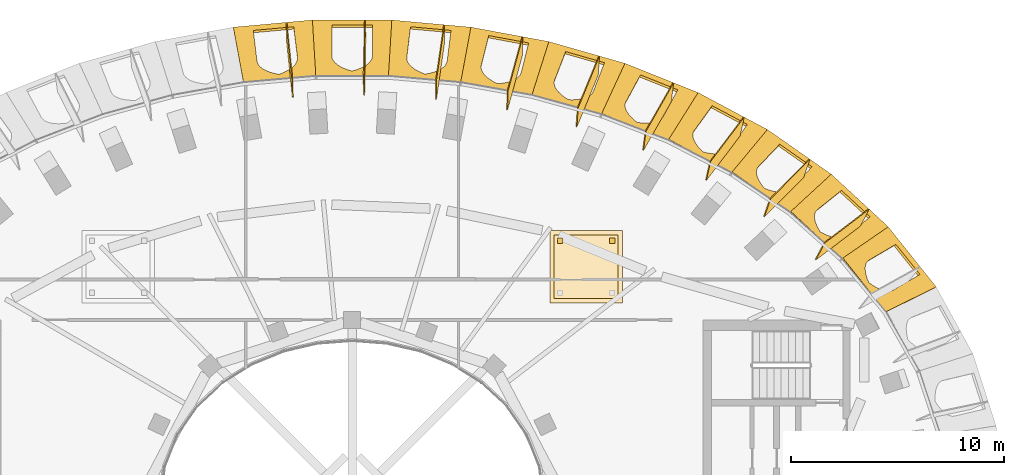
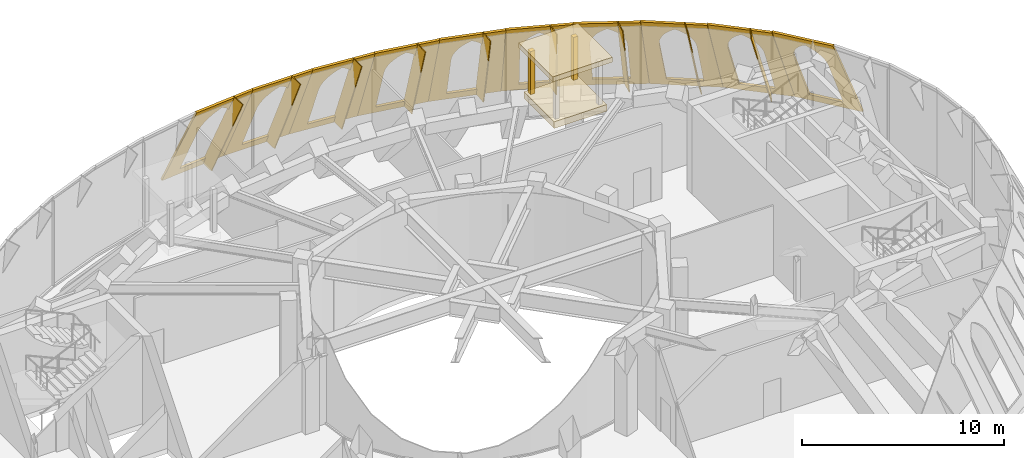
# One storey, part 13 of 13: 23 coverings.
"""IFC4 building model written with IfcOpenShell, lengths in metres."""

from ifc_helpers import new_model, si_unit, direction, frame, origin, origin_2d, place, context, subcontext, project, spatial, polyline, rectangle, outline, extrude, material, layer, layer_set, type_object, element, save


model = new_model("IFC4")

# Units and contexts
model_context = context("Model", 3, precision=1e-05, world=origin(), true_north=direction((0.0, 1.0)))
body_context = subcontext(model_context, "Body", "Model", "MODEL_VIEW")
ifc_project = project(units=[si_unit("LENGTHUNIT", "METRE"), si_unit("AREAUNIT", "SQUARE_METRE"), si_unit("VOLUMEUNIT", "CUBIC_METRE"), si_unit("PLANEANGLEUNIT", "RADIAN"), si_unit("MASSUNIT", "GRAM", prefix="KILO")], contexts=[model_context])

# Site, building, storey
site_placement = place(None, origin())
site = spatial("IfcSite", under=ifc_project, at=site_placement, CompositionType="ELEMENT")
building_placement = place(site_placement, origin())
building = spatial("IfcBuilding", under=site, at=building_placement, Name="Noorbagh Ring Tower", CompositionType="ELEMENT")
storey_placement = place(building_placement, frame((0.0, 0.0, 351.0)))
storey = spatial("IfcBuildingStorey", under=building, at=storey_placement, Name="L77", CompositionType="ELEMENT", Elevation=351.0)

# Coverings
ifc_material_1 = material(Name="Aluminium 6063-T6 black anodised", Category="aluminium")
ifc_layer_1 = layer(ifc_material_1, 0.050048828125)
ifc_layer_set_1 = layer_set([ifc_layer_1], Name="Aluminium 6063-T6 black anodised")
covering_type_1 = type_object("IfcCoveringType", Name="STYLE-HEAD-FIN", PredefinedType="CLADDING", material=ifc_layer_set_1)
covering_1_placement = place(storey_placement, frame((24.30810546875, 13.703125, 0.0), z_axis=(0.867003544352, -0.458039608337, 0.196225817048), x_axis=(-0.341874475146, -0.260278722895, 0.902982186785)))
element("IfcCovering", 1, at=covering_1_placement, inside=storey, type_object=covering_type_1, Name="Fin rib F05 L77", ObjectType="FIN", PredefinedType="CLADDING", context=body_context, shape_type="SweptSolid", body=[
    extrude(outline(polyline([(0.0, 0.0), (6.098757192707287, 4.440892098500626e-16), (6.44957657847794, 0.8286954899449102), (0.3508829303807348, 0.8289030029709457), (0.0, 0.0)])), origin(), (0.0, 0.0, -1.0), 0.050048828125),
])
covering_2_placement = place(storey_placement, frame((21.522216796875, 16.051025390625, 0.0), z_axis=(0.925120102646, -0.321746250518, 0.201574169866), x_axis=(-0.302833419231, -0.30507514712, 0.902895937972)))
element("IfcCovering", 2, at=covering_2_placement, inside=storey, type_object=covering_type_1, Name="Fin rib F06 L77", ObjectType="FIN", PredefinedType="CLADDING", context=body_context, shape_type="SweptSolid", body=[
    extrude(outline(polyline([(0.0, 0.0), (6.098811131261089, 0.0), (6.447688800440754, 0.8296757561663219), (0.3488776691796649, 0.8296757561663219), (0.0, 0.0)])), origin(), (0.0, 0.0, -1.0), 0.050048828125),
])
covering_3_placement = place(storey_placement, frame((18.433837890625, 18.031494140625, 0.0), z_axis=(0.957713833763, -0.211657550982, 0.194898162465), x_axis=(-0.259527449976, -0.343043382291, 0.902755083384)))
element("IfcCovering", 3, at=covering_3_placement, inside=storey, type_object=covering_type_1, Name="Fin rib F07 L77", ObjectType="FIN", PredefinedType="CLADDING", context=body_context, shape_type="SweptSolid", body=[
    extrude(outline(polyline([(0.0, 0.0), (6.099241495955389, 0.0), (6.451032866950743, 0.8282279583935295), (0.35193848301495056, 0.8284817129980697), (0.0, 0.0)])), origin(), (0.0, 0.0, -1.0), 0.050048828125),
])
covering_4_placement = place(storey_placement, frame((15.11669921875, 19.646728515625, 0.0), z_axis=(0.975790284167, -0.128414535344, 0.177039623922), x_axis=(-0.212994817618, -0.374151956452, 0.902576047295)))
element("IfcCovering", 4, at=covering_4_placement, inside=storey, type_object=covering_type_1, Name="Fin rib F08 L77", ObjectType="FIN", PredefinedType="CLADDING", context=body_context, shape_type="SweptSolid", body=[
    extrude(outline(polyline([(0.0, 0.0), (6.099079217752502, 4.440892098500626e-16), (6.457960054692147, 0.8253815328488652), (0.35888083693964457, 0.8253815328488651), (0.0, 0.0)])), origin(), (0.0, 0.0, -1.0), 0.050048828125),
])
covering_5_placement = place(storey_placement, frame((11.631103515625, 20.90380859375, 0.0), z_axis=(0.986451429032, -0.069608197372, 0.148553953226), x_axis=(-0.164013677477, -0.398479553068, 0.902393239884)))
element("IfcCovering", 5, at=covering_5_placement, inside=storey, type_object=covering_type_1, Name="Fin rib F09 L77", ObjectType="FIN", PredefinedType="CLADDING", context=body_context, shape_type="SweptSolid", body=[
    extrude(outline(polyline([(0.0, 0.0), (6.099214157066847, 0.0), (6.467439584880934, 0.8214329523617532), (0.36808810036522316, 0.8212087945895205), (0.0, 0.0)])), origin(), (0.0, 0.0, -1.0), 0.050048828125),
])
covering_6_placement = place(storey_placement, frame((8.0263671875, 21.810791015625, 0.0), z_axis=(0.993389304307, -0.030331468784, 0.110714461972), x_axis=(-0.113257488424, -0.416242185141, 0.90217248053)))
element("IfcCovering", 6, at=covering_6_placement, inside=storey, type_object=covering_type_1, Name="Fin rib F10 L77", ObjectType="FIN", PredefinedType="CLADDING", context=body_context, shape_type="SweptSolid", body=[
    extrude(outline(polyline([(0.0, 0.0), (6.099386404828578, 0.0), (6.476857363999314, 0.8168286219575105), (0.37760023155197847, 0.8170459139305442), (0.0, 0.0)])), origin(), (0.0, 0.0, -1.0), 0.050048828125),
])
covering_7_placement = place(storey_placement, frame((4.344482421875, 22.374267578125, 0.0), z_axis=(0.997849595748, -0.005414268018, 0.065321282657), x_axis=(-0.061362860039, -0.427458566442, 0.901949983859)))
element("IfcCovering", 7, at=covering_7_placement, inside=storey, type_object=covering_type_1, Name="Fin rib F11 L77", ObjectType="FIN", PredefinedType="CLADDING", context=body_context, shape_type="SweptSolid", body=[
    extrude(outline(polyline([(0.0, 0.0), (6.099252510197249, 4.440892098500626e-16), (6.484223099334205, 0.8134160778127018), (0.3849705891369558, 0.8134160778127013), (0.0, 0.0)])), origin(), (0.0, 0.0, -1.0), 0.050048828125),
])
covering_8_placement = place(storey_placement, frame((0.622314453125, 22.59912109375, 0.0), z_axis=(0.999808916359, 0.011933159452, 0.015483232013), x_axis=(-0.00880570909, -0.432211929387, 0.901729065509)))
element("IfcCovering", 8, at=covering_8_placement, inside=storey, type_object=covering_type_1, Name="Fin rib F12 L77", ObjectType="FIN", PredefinedType="CLADDING", context=body_context, shape_type="SweptSolid", body=[
    extrude(outline(polyline([(0.0, 0.0), (6.099393080395037, 4.440892098500626e-16), (6.488247016068973, 0.8116232128197156), (0.38895945616450905, 0.8118433527368719), (0.0, 0.0)])), origin(), (0.0, 0.0, -1.0), 0.050048828125),
])
covering_9_placement = place(storey_placement, frame((-3.10546875, 22.486572265625, 0.0), z_axis=(-0.998980419536, -0.028329295479, 0.035150709833), x_axis=(0.043929526282, -0.430489177446, 0.901526075509)))
element("IfcCovering", 9, at=covering_9_placement, inside=storey, type_object=covering_type_1, Name="Fin rib F13 L77", ObjectType="FIN", PredefinedType="CLADDING", context=body_context, shape_type="SweptSolid", body=[
    extrude(outline(polyline([(0.0, 0.0), (6.099407615344329, 0.0), (6.487826858300043, -0.8118943899853428), (0.38840851797371156, -0.8118918490677614), (0.0, 0.0)])), origin(), (0.0, 0.0, -1.0), 0.050048828125),
])
ifc_material_2 = material(Name="Red sandstone jali", Category="masonry")
ifc_layer_2 = layer(ifc_material_2, 0.1201171875)
ifc_layer_set_2 = layer_set([ifc_layer_2], Name="Red sandstone jali")
covering_type_2 = type_object("IfcCoveringType", Name="STYLE-HEAD-SKIN", PredefinedType="CLADDING", material=ifc_layer_set_2)
covering_10_placement = place(storey_placement, frame((27.45361328125, 10.0546875, 0.0), z_axis=(0.707684878285, 0.564534394014, 0.42483294484), x_axis=(-0.623604528127, 0.781739977504, -8.497201e-06)))
element("IfcCovering", 10, at=covering_10_placement, inside=storey, type_object=covering_type_2, Name="Head skin panel", ObjectType="HEAD SKIN", PredefinedType="CLADDING", context=body_context, shape_type="SweptSolid", body=[
    extrude(outline(polyline([(0.0, 0.0), (3.613525390625, 0.0), (3.794189453125, 6.075439453125), (0.558837890625, 6.075439453125), (0.0, 0.0)]), holes=[polyline([(0.934326171875, 0.550048828125), (1.1416015625, 3.95654296875), (1.17138671875, 4.193115234375), (1.23193359375, 4.425537109375), (1.32177734375, 4.64990234375), (1.439453125, 4.862548828125), (1.583251953125, 5.0595703125), (1.750244140625, 5.23779296875), (1.93798828125, 5.39404296875), (2.14306640625, 5.525634765625), (2.33203125, 5.39404296875), (2.500732421875, 5.23779296875), (2.64599609375, 5.0595703125), (2.765869140625, 4.862548828125), (2.857666015625, 4.64990234375), (2.920166015625, 4.425537109375), (2.952392578125, 4.193115234375), (2.953369140625, 3.95654296875), (2.74609375, 0.550048828125), (0.934326171875, 0.550048828125)])]), origin(), (0.0, 0.0, -1.0), 0.1201171875),
])
covering_11_placement = place(storey_placement, frame((25.2001953125, 12.879638671875, 0.0), z_axis=(0.614177844166, 0.665388615776, 0.424315408313), x_axis=(-0.734819808224, 0.678262375058, 4.672922e-06)))
element("IfcCovering", 11, at=covering_11_placement, inside=storey, type_object=covering_type_2, Name="Head skin panel", ObjectType="HEAD SKIN", PredefinedType="CLADDING", context=body_context, shape_type="SweptSolid", body=[
    extrude(outline(polyline([(0.0, 0.0), (3.642333984375, 0.0), (3.854736328125, 6.073974609375), (0.5771484375, 6.073974609375), (0.0, 0.0)]), holes=[polyline([(0.939208984375, 0.550048828125), (1.1591796875, 3.934326171875), (1.1904296875, 4.173828125), (1.25244140625, 4.409423828125), (1.344482421875, 4.63671875), (1.464599609375, 4.85205078125), (1.611083984375, 5.0517578125), (1.781005859375, 5.232177734375), (1.971923828125, 5.390380859375), (2.18017578125, 5.52392578125), (2.37109375, 5.390380859375), (2.54150390625, 5.232177734375), (2.68798828125, 5.0517578125), (2.808349609375, 4.85205078125), (2.900634765625, 4.63671875), (2.962890625, 4.409423828125), (2.994384765625, 4.173828125), (2.99462890625, 3.934326171875), (2.774658203125, 0.550048828125), (0.939208984375, 0.550048828125)])]), origin(), (0.0, 0.0, -1.0), 0.1201171875),
])
covering_12_placement = place(storey_placement, frame((22.523681640625, 15.35009765625, 0.0), z_axis=(0.519054029949, 0.741768028895, 0.424691776825), x_axis=(-0.819324661039, 0.573329835021, -9.358509e-06)))
element("IfcCovering", 12, at=covering_12_placement, inside=storey, type_object=covering_type_2, Name="Head skin panel", ObjectType="HEAD SKIN", PredefinedType="CLADDING", context=body_context, shape_type="SweptSolid", body=[
    extrude(outline(polyline([(0.0, 0.0), (3.66748046875, 0.0), (3.879150390625, 6.0751953125), (0.563720703125, 6.074951171875), (0.0, 0.0)]), holes=[polyline([(0.940673828125, 0.550048828125), (1.155517578125, 3.917236328125), (1.18701171875, 4.15966796875), (1.24951171875, 4.397705078125), (1.34228515625, 4.627685546875), (1.463623046875, 4.845703125), (1.611328125, 5.047607421875), (1.783203125, 5.22998046875), (1.97607421875, 5.39013671875), (2.1865234375, 5.525146484375), (2.3798828125, 5.39013671875), (2.55224609375, 5.22998046875), (2.70068359375, 5.047607421875), (2.82275390625, 4.845703125), (2.916259765625, 4.627685546875), (2.9794921875, 4.397705078125), (3.01171875, 4.15966796875), (3.01220703125, 3.917236328125), (2.797119140625, 0.550048828125), (0.940673828125, 0.550048828125)])]), origin(), (0.0, 0.0, -1.0), 0.1201171875),
])
covering_13_placement = place(storey_placement, frame((19.518798828125, 17.452880859375, 0.0), z_axis=(0.425726914911, 0.798418517882, 0.425775133403), x_axis=(-0.882396090975, 0.470507320464, -4.678332e-06)))
element("IfcCovering", 13, at=covering_13_placement, inside=storey, type_object=covering_type_2, Name="Head skin panel", ObjectType="HEAD SKIN", PredefinedType="CLADDING", context=body_context, shape_type="SweptSolid", body=[
    extrude(outline(polyline([(0.0, 0.0), (3.688720703125, 0.0), (3.873046875, 6.07861328125), (0.526611328125, 6.078369140625), (0.0, 0.0)]), holes=[polyline([(0.939697265625, 0.550048828125), (1.1357421875, 3.905517578125), (1.166259765625, 4.150146484375), (1.22802734375, 4.390625), (1.3203125, 4.622802734375), (1.441650390625, 4.842529296875), (1.58984375, 5.04638671875), (1.76220703125, 5.230712890625), (1.955810546875, 5.392333984375), (2.167724609375, 5.528564453125), (2.363525390625, 5.392333984375), (2.538330078125, 5.230712890625), (2.689208984375, 5.04638671875), (2.8134765625, 4.842529296875), (2.908935546875, 4.622802734375), (2.974365234375, 4.390625), (3.008056640625, 4.150146484375), (3.009765625, 3.905517578125), (2.8134765625, 0.550048828125), (0.939697265625, 0.550048828125)])]), origin(), (0.0, 0.0, -1.0), 0.1201171875),
])
covering_14_placement = place(storey_placement, frame((16.263916015625, 19.1884765625, 0.0), z_axis=(0.335409809073, 0.839647546596, 0.427191125228), x_axis=(-0.928649812908, 0.370957578259, 1.0852207e-05)))
element("IfcCovering", 14, at=covering_14_placement, inside=storey, type_object=covering_type_2, Name="Head skin panel", ObjectType="HEAD SKIN", PredefinedType="CLADDING", context=body_context, shape_type="SweptSolid", body=[
    extrude(outline(polyline([(0.0, 0.0), (3.70556640625, 0.0), (3.842529296875, 6.0830078125), (0.471923828125, 6.0830078125), (0.0, 0.0)]), holes=[polyline([(0.936279296875, 0.550048828125), (1.103759765625, 3.898193359375), (1.132080078125, 4.144775390625), (1.1923828125, 4.38671875), (1.28369140625, 4.62060546875), (1.40380859375, 4.842041015625), (1.55126953125, 5.04736328125), (1.723388671875, 5.233154296875), (1.9169921875, 5.39599609375), (2.12939453125, 5.532958984375), (2.327880859375, 5.39599609375), (2.50537109375, 5.233154296875), (2.65869140625, 5.04736328125), (2.78564453125, 4.842041015625), (2.8837890625, 4.62060546875), (2.951416015625, 4.38671875), (2.987548828125, 4.144775390625), (2.991455078125, 3.898193359375), (2.82421875, 0.550048828125), (0.936279296875, 0.550048828125)])]), origin(), (0.0, 0.0, -1.0), 0.1201171875),
])
covering_15_placement = place(storey_placement, frame((12.82275390625, 20.56298828125, 0.0), z_axis=(0.248362673874, 0.868633167778, 0.428710160903), x_axis=(-0.961470076895, 0.274909605518, -5.417056e-06)))
element("IfcCovering", 15, at=covering_15_placement, inside=storey, type_object=covering_type_2, Name="Head skin panel", ObjectType="HEAD SKIN", PredefinedType="CLADDING", context=body_context, shape_type="SweptSolid", body=[
    extrude(outline(polyline([(0.0, 0.0), (3.71826171875, 0.0), (3.79248046875, 6.087890625), (0.4033203125, 6.087890625), (0.0, 0.0)]), holes=[polyline([(0.931640625, 0.550048828125), (1.062744140625, 3.894287109375), (1.0888671875, 4.14208984375), (1.146728515625, 4.385498046875), (1.23583984375, 4.62060546875), (1.354248046875, 4.84326171875), (1.50048828125, 5.0498046875), (1.67138671875, 5.236328125), (1.864501953125, 5.39990234375), (2.076416015625, 5.537841796875), (2.27734375, 5.39990234375), (2.45751953125, 5.236328125), (2.614013671875, 5.0498046875), (2.74365234375, 4.84326171875), (2.8447265625, 4.62060546875), (2.915283203125, 4.385498046875), (2.9541015625, 4.14208984375), (2.960693359375, 3.894287109375), (2.82958984375, 0.550048828125), (0.931640625, 0.550048828125)])]), origin(), (0.0, 0.0, -1.0), 0.1201171875),
])
covering_16_placement = place(storey_placement, frame((9.247802734375, 21.585205078125, 0.0), z_axis=(0.163937488205, 0.887742214985, 0.430160737044), x_axis=(-0.983372667917, 0.181598997746, -3.373973e-06)))
element("IfcCovering", 16, at=covering_16_placement, inside=storey, type_object=covering_type_2, Name="Head skin panel", ObjectType="HEAD SKIN", PredefinedType="CLADDING", context=body_context, shape_type="SweptSolid", body=[
    extrude(outline(polyline([(0.0, 0.0), (3.7265625, 0.0), (3.72802734375, 6.092529296875), (0.32666015625, 6.092529296875), (0.0, 0.0)]), holes=[polyline([(0.92578125, 0.550048828125), (1.015625, 3.892822265625), (1.038818359375, 4.141357421875), (1.093994140625, 4.3857421875), (1.180419921875, 4.621826171875), (1.296630859375, 4.84521484375), (1.440673828125, 5.052490234375), (1.610107421875, 5.23974609375), (1.8017578125, 5.404052734375), (2.0126953125, 5.54248046875), (2.216064453125, 5.404052734375), (2.39892578125, 5.23974609375), (2.558349609375, 5.052490234375), (2.691162109375, 4.84521484375), (2.79541015625, 4.621826171875), (2.869140625, 4.3857421875), (2.9111328125, 4.141357421875), (2.920654296875, 3.892822265625), (2.83056640625, 0.550048828125), (0.92578125, 0.550048828125)])]), origin(), (0.0, 0.0, -1.0), 0.1201171875),
])
covering_17_placement = place(storey_placement, frame((5.583251953125, 22.261962890625, 0.0), z_axis=(0.081459780682, 0.898494286739, 0.431361009861), x_axis=(-0.995914391033, 0.090302410131, -2.1401355e-05)))
element("IfcCovering", 17, at=covering_17_placement, inside=storey, type_object=covering_type_2, Name="Head skin panel", ObjectType="HEAD SKIN", PredefinedType="CLADDING", context=body_context, shape_type="SweptSolid", body=[
    extrude(outline(polyline([(0.0, 0.0), (3.73193359375, 0.0), (3.65380859375, 6.096435546875), (0.24462890625, 6.09619140625), (0.0, 0.0)]), holes=[polyline([(0.918701171875, 0.550048828125), (0.964599609375, 3.89306640625), (0.984375, 4.14208984375), (1.036376953125, 4.38720703125), (1.119873046875, 4.62353515625), (1.2333984375, 4.84765625), (1.375, 5.05517578125), (1.542236328125, 5.242919921875), (1.732421875, 5.40771484375), (1.94189453125, 5.54638671875), (2.147705078125, 5.40771484375), (2.3330078125, 5.242919921875), (2.4951171875, 5.05517578125), (2.631103515625, 4.84765625), (2.73828125, 4.62353515625), (2.8154296875, 4.38720703125), (2.86083984375, 4.14208984375), (2.873779296875, 3.89306640625), (2.827880859375, 0.550048828125), (0.918701171875, 0.550048828125)])]), origin(), (0.0, 0.0, -1.0), 0.1201171875),
])
covering_18_placement = place(storey_placement, frame((1.86669921875, 22.59912109375, 0.0), z_axis=(0.0, 0.901764026007, 0.432228691088), x_axis=(-1.0, 0.0, 0.0)))
element("IfcCovering", 18, at=covering_18_placement, inside=storey, type_object=covering_type_2, Name="Head skin panel", ObjectType="HEAD SKIN", PredefinedType="CLADDING", context=body_context, shape_type="SweptSolid", body=[
    extrude(outline(polyline([(0.0, 0.0), (3.7333984375, 0.0), (3.572509765625, 6.09912109375), (0.160888671875, 6.09912109375), (0.0, 0.0)]), holes=[polyline([(0.911376953125, 0.550048828125), (0.911376953125, 3.89453125), (0.927734375, 4.14404296875), (0.9765625, 4.38916015625), (1.056884765625, 4.625732421875), (1.16748046875, 4.849853515625), (1.30615234375, 5.0576171875), (1.470947265625, 5.24560546875), (1.658935546875, 5.410400390625), (1.86669921875, 5.54931640625), (2.074462890625, 5.410400390625), (2.262451171875, 5.24560546875), (2.42724609375, 5.0576171875), (2.56591796875, 4.849853515625), (2.676513671875, 4.625732421875), (2.7568359375, 4.38916015625), (2.8056640625, 4.14404296875), (2.822021484375, 3.89453125), (2.822021484375, 0.550048828125), (0.911376953125, 0.550048828125)])]), origin(), (0.0, 0.0, -1.0), 0.1201171875),
])
covering_19_placement = place(storey_placement, frame((-1.86669921875, 22.59912109375, 0.0), z_axis=(-0.08143161661, 0.89784367595, 0.432718875685), x_axis=(-0.995911886044, -0.090330034698, 8.170478e-06)))
element("IfcCovering", 19, at=covering_19_placement, inside=storey, type_object=covering_type_2, Name="Head skin panel", ObjectType="HEAD SKIN", PredefinedType="CLADDING", context=body_context, shape_type="SweptSolid", body=[
    extrude(outline(polyline([(0.0, 0.0), (3.73193359375, 0.0), (3.487060546875, 6.100830078125), (0.077880859375, 6.100830078125), (0.0, 0.0)]), holes=[polyline([(0.90380859375, 0.550048828125), (0.85791015625, 3.8974609375), (0.870849609375, 4.146484375), (0.916259765625, 4.3916015625), (0.993408203125, 4.6279296875), (1.1005859375, 4.85205078125), (1.236572265625, 5.0595703125), (1.398681640625, 5.247314453125), (1.584228515625, 5.412109375), (1.789794921875, 5.55078125), (1.99951171875, 5.412109375), (2.189453125, 5.247314453125), (2.356689453125, 5.0595703125), (2.498291015625, 4.85205078125), (2.61181640625, 4.6279296875), (2.6953125, 4.3916015625), (2.747314453125, 4.146484375), (2.76708984375, 3.8974609375), (2.81298828125, 0.550048828125), (0.90380859375, 0.550048828125)])]), origin(), (0.0, 0.0, -1.0), 0.1201171875),
])
ifc_material_3 = material(Name="Red sandstone cladding", Category="masonry")
ifc_layer_3 = layer(ifc_material_3, 0.300048828125)
ifc_layer_set_3 = layer_set([ifc_layer_3], Name="Red sandstone cladding")
covering_type_3 = type_object("IfcCoveringType", Name="STYLE-KIOSK-CORNICE", PredefinedType="CLADDING", material=ifc_layer_set_3)
covering_20_placement = place(storey_placement, frame((11.0, 11.0, 8.5), z_axis=(0.0, 0.0, 1.0), x_axis=(1.0, 0.0, 0.0)))
element("IfcCovering", 20, at=covering_20_placement, inside=storey, type_object=covering_type_3, Name="Chhatri cornice", ObjectType="KIOSK", PredefinedType="CLADDING", context=body_context, shape_type="SweptSolid", body=[
    extrude(rectangle(XDim=3.39990234375, YDim=3.39990234375, at=origin_2d()), origin(), (0.0, 0.0, 1.0), 0.300048828125),
])
ifc_material_4 = material(Name="Red sandstone cladding", Category="masonry")
ifc_layer_4 = layer(ifc_material_4, 0.39990234375)
ifc_layer_set_4 = layer_set([ifc_layer_4], Name="Red sandstone cladding")
covering_type_4 = type_object("IfcCoveringType", Name="STYLE-KIOSK-PLINTH", PredefinedType="CLADDING", material=ifc_layer_set_4)
covering_21_placement = place(storey_placement, frame((11.0, 11.0, 5.5), z_axis=(0.0, 0.0, 1.0), x_axis=(1.0, 0.0, 0.0)))
element("IfcCovering", 21, at=covering_21_placement, inside=storey, type_object=covering_type_4, Name="Chhatri plinth", ObjectType="KIOSK", PredefinedType="CLADDING", context=body_context, shape_type="SweptSolid", body=[
    extrude(rectangle(XDim=3.0, YDim=3.0, at=origin_2d()), origin(), (0.0, 0.0, 1.0), 0.39990234375),
])
ifc_material_5 = material(Name="Red sandstone cladding", Category="masonry")
covering_type_5 = type_object("IfcCoveringType", Name="STYLE-KIOSK-POST", PredefinedType="CLADDING", material=ifc_material_5)
for number, where, z_axis, x_axis, name in (
    (22, (12.22509765625, 12.22509765625, 5.89990234375), (0.0, 0.0, 1.0), (1.0, 0.0, 0.0), "Chhatri post"),
    (23, (9.77490234375, 12.22509765625, 5.89990234375), (0.0, 0.0, 1.0), (1.0, 0.0, 0.0), "Chhatri post"),
):
    element("IfcCovering", number, at=place(storey_placement, frame(where, z_axis=z_axis, x_axis=x_axis)), inside=storey, type_object=covering_type_5, Name=name, ObjectType="KIOSK", PredefinedType="CLADDING", context=body_context, shape_type="SweptSolid", body=[
        extrude(rectangle(XDim=0.25, YDim=0.25, at=origin_2d()), origin(), (0.0, 0.0, 1.0), 2.60009765625),
    ])

save(model, "model.ifc")
